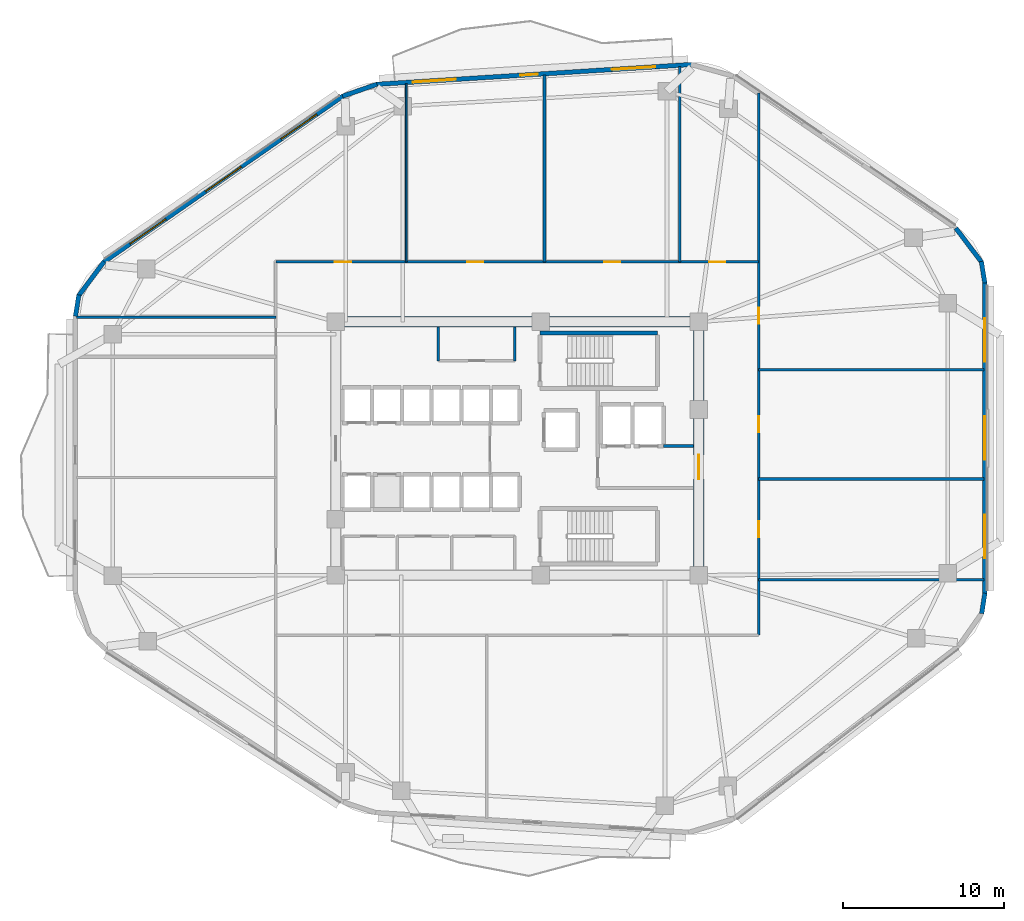
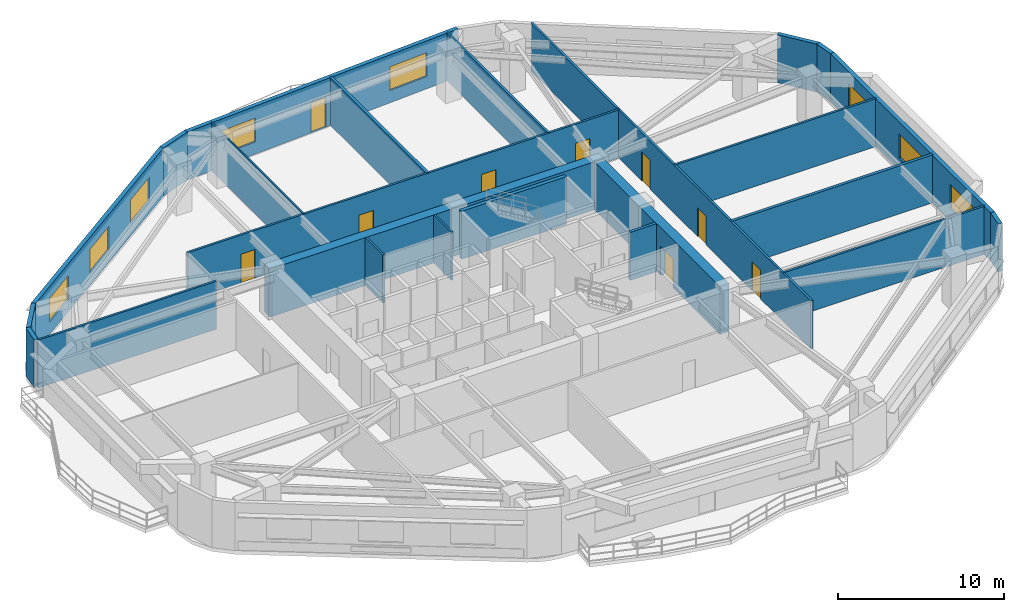
# One storey, part 5 of 10: 24 walls, 9 doors, 8 windows, 17 openings.
"""IFC4 building model written with IfcOpenShell, lengths in metres."""

from ifc_helpers import new_model, si_unit, direction, frame, frame_2d, origin, place, context, subcontext, project, spatial, rectangle, extrude, material, layer, layer_set, type_object, element, fill, save


model = new_model("IFC4")

# Units and contexts
model_context = context("Model", 3, precision=1e-05, world=origin(), true_north=direction((0.0, 1.0)))
body_context = subcontext(model_context, "Body", "Model", "MODEL_VIEW")
ifc_project = project(units=[si_unit("LENGTHUNIT", "METRE"), si_unit("AREAUNIT", "SQUARE_METRE"), si_unit("VOLUMEUNIT", "CUBIC_METRE"), si_unit("PLANEANGLEUNIT", "RADIAN"), si_unit("MASSUNIT", "GRAM", prefix="KILO")], contexts=[model_context])

# Site, building, storey
site_placement = place(None, origin())
site = spatial("IfcSite", under=ifc_project, at=site_placement, CompositionType="ELEMENT")
building_placement = place(site_placement, origin())
building = spatial("IfcBuilding", under=site, at=building_placement, Name="Zulverin Broadcast Headquarters", CompositionType="ELEMENT")
storey_placement = place(building_placement, frame((0.0, 0.0, 97.199951171875)))
storey = spatial("IfcBuildingStorey", under=building, at=storey_placement, Name="L24", CompositionType="ELEMENT", Elevation=97.199951171875)

# Walls
ifc_material_1 = material(Name="Acoustic drywall steel stud", Category="steel")
ifc_layer_1 = layer(ifc_material_1, 0.199951171875, Name="Acoustic drywall steel stud", Category="steel")
ifc_layer_set_1 = layer_set([ifc_layer_1], Name="Acoustic drywall steel stud")
wall_type_1 = type_object("IfcWallType", Name="WL-ACOU-200", PredefinedType="PARTITIONING", material=ifc_layer_set_1)
wall_1_placement = place(storey_placement, frame((38.699951171875, 36.800048828125, 0.0), z_axis=(0.0, 0.0, 1.0), x_axis=(0.0, 1.0, 0.0)))
element("IfcWall", 1, at=wall_1_placement, inside=storey, type_object=wall_type_1, Name="L24 Room Partition Wall RP-03", PredefinedType="PARTITIONING", context=body_context, shape_type="SweptSolid", body=[
    extrude(rectangle(XDim=11.628662109375, YDim=0.199951171875, at=frame_2d((5.814453125, 0.0))), origin(), (0.0, 0.0, 1.0), 3.525146484375),
])
wall_2_placement = place(storey_placement, frame((52.0, 23.300048828125, 0.0), z_axis=(0.0, 0.0, 1.0), x_axis=(1.0, 0.0, 0.0)))
element("IfcWall", 2, at=wall_2_placement, inside=storey, type_object=wall_type_1, Name="L24 Room Partition Wall RP-09", PredefinedType="PARTITIONING", context=body_context, shape_type="SweptSolid", body=[
    extrude(rectangle(XDim=13.9951171875, YDim=0.199951171875, at=frame_2d((6.99755859375, 0.0))), origin(), (0.0, 0.0, 1.0), 3.525146484375),
])
ifc_material_2 = material(Name="Concrete C60/75", Category="concrete")
ifc_layer_2 = layer(ifc_material_2, 0.64990234375, Name="Concrete C60/75", Category="concrete")
ifc_layer_set_2 = layer_set([ifc_layer_2], Name="Concrete C60/75")
wall_type_2 = type_object("IfcWallType", Name="WL-CORE-650", PredefinedType="SHEAR", material=ifc_layer_set_2)
wall_3_placement = place(storey_placement, frame((25.39990234375, 33.074951171875, 0.0), z_axis=(0.0, 0.0, 1.0), x_axis=(1.0, 0.0, 0.0)))
element("IfcWall", 3, at=wall_3_placement, inside=storey, type_object=wall_type_2, Name="L24 Core North Shear Wall", PredefinedType="SHEAR", context=body_context, shape_type="SweptSolid", body=[
    extrude(rectangle(XDim=23.2001953125, YDim=0.64990234375, at=frame_2d((11.60009765625, 0.0))), origin(), (0.0, 0.0, 1.0), 3.525146484375),
])

# Wall, opening, door
wall_4_placement = place(storey_placement, frame((48.27490234375, 17.64990234375, 0.0), z_axis=(0.0, 0.0, 1.0), x_axis=(0.0, 1.0, 0.0)))
wall_4 = element("IfcWall", 4, at=wall_4_placement, inside=storey, type_object=wall_type_2, Name="L24 Core East Shear Wall", PredefinedType="SHEAR", context=body_context, shape_type="SweptSolid", body=[
    extrude(rectangle(XDim=15.10009765625, YDim=0.64990234375, at=frame_2d((7.550048828125, 0.0))), origin(), (0.0, 0.0, 1.0), 3.525146484375),
])
opening_1_placement = place(wall_4_placement, frame((5.64990234375, 0.0, 0.0)))
opening_1 = element("IfcOpeningElement", 5, at=opening_1_placement, cuts=wall_4, Name="Opening D-L24-CE1", PredefinedType="OPENING", context=body_context, shape_type="SweptSolid", body=[
    extrude(rectangle(XDim=1.5, YDim=2.14990234375, at=frame_2d((0.75, 1.074951171875))), frame((0.0, 0.3349609375, 0.0), z_axis=(0.0, -1.0, 0.0), x_axis=(1.0, 0.0, 0.0)), (0.0, 0.0, 1.0), 0.669921875),
])
ifc_material_3 = material(Name="Fire-rated glazed steel frame", Category="steel")
door_type_1 = type_object("IfcDoorType", Name="DR-COR-1500", OperationType="DOUBLE_DOOR_SINGLE_SWING", PredefinedType="DOOR", material=ifc_material_3)
door_1_placement = place(opening_1_placement, origin())
door_1 = element("IfcDoor", 6, at=door_1_placement, inside=storey, type_object=door_type_1, Name="L24 Firefighting Lobby East Corridor Door", OperationType="DOUBLE_DOOR_SINGLE_SWING", OverallHeight=2.14990234375, OverallWidth=1.5, PredefinedType="DOOR", context=body_context, shape_type="SweptSolid", body=[
    extrude(rectangle(XDim=1.5, YDim=2.14990234375, at=frame_2d((0.75, 1.074951171875))), frame((0.0, 0.02490234375, 0.0), z_axis=(0.0, -1.0, 0.0), x_axis=(1.0, 0.0, 0.0)), (0.0, 0.0, 1.0), 0.050048828125),
])
fill(opening_1, door_1)

# Wall, openings, windows
ifc_material_4 = material(Name="Insulated pale-metal clad concrete spandrel C40/50", Category="concrete")
ifc_layer_3 = layer(ifc_material_4, 0.280029296875, Name="Insulated pale-metal clad concrete spandrel C40/50", Category="concrete")
ifc_layer_set_3 = layer_set([ifc_layer_3], Name="Insulated pale-metal clad concrete spandrel C40/50")
wall_type_3 = type_object("IfcWallType", Name="WL-EXT-280", PredefinedType="STANDARD", material=ifc_layer_set_3)
wall_5_placement = place(storey_placement, frame((66.06005859375, 16.183349609375, 0.0), z_axis=(0.0, 0.0, 1.0), x_axis=(0.0, 1.0, 0.0)))
wall_5 = element("IfcWall", 7, at=wall_5_placement, inside=storey, type_object=wall_type_3, Name="L24 Pale-Metal Clad Spandrel Wall 3", PredefinedType="STANDARD", context=body_context, shape_type="SweptSolid", body=[
    extrude(rectangle(XDim=19.3310546875, YDim=0.280029296875, at=frame_2d((9.66552734375, 0.0))), origin(), (0.0, 0.0, 1.0), 3.525146484375),
])
opening_2_placement = place(wall_5_placement, frame((2.205078125, 0.0, 0.89990234375)))
opening_2 = element("IfcOpeningElement", 8, at=opening_2_placement, cuts=wall_5, Name="Opening W-L24-E31", PredefinedType="OPENING", context=body_context, shape_type="SweptSolid", body=[
    extrude(rectangle(XDim=2.699951171875, YDim=1.75, at=frame_2d((1.35009765625, 0.875))), frame((0.0, 0.14990234375, 0.0), z_axis=(0.0, -1.0, 0.0), x_axis=(1.0, 0.0, 0.0)), (0.0, 0.0, 1.0), 0.300048828125),
])
opening_3_placement = place(wall_5_placement, frame((8.3154296875, 0.0, 0.89990234375)))
opening_3 = element("IfcOpeningElement", 9, at=opening_3_placement, cuts=wall_5, Name="Opening W-L24-E32", PredefinedType="OPENING", context=body_context, shape_type="SweptSolid", body=[
    extrude(rectangle(XDim=2.699951171875, YDim=1.75, at=frame_2d((1.35009765625, 0.875))), frame((0.0, 0.14990234375, 0.0), z_axis=(0.0, -1.0, 0.0), x_axis=(1.0, 0.0, 0.0)), (0.0, 0.0, 1.0), 0.300048828125),
])
opening_4_placement = place(wall_5_placement, frame((14.42578125, 0.0, 0.89990234375)))
opening_4 = element("IfcOpeningElement", 10, at=opening_4_placement, cuts=wall_5, Name="Opening W-L24-E33", PredefinedType="OPENING", context=body_context, shape_type="SweptSolid", body=[
    extrude(rectangle(XDim=2.699951171875, YDim=1.75, at=frame_2d((1.35009765625, 0.875))), frame((0.0, 0.14990234375, 0.0), z_axis=(0.0, -1.0, 0.0), x_axis=(1.0, 0.0, 0.0)), (0.0, 0.0, 1.0), 0.300048828125),
])
ifc_material_5 = material(Name="Pale anodized aluminium frame with solar-control low-E double glazing", Category="aluminium")
window_type = type_object("IfcWindowType", Name="WIN-TWR-2700", PartitioningType="SINGLE_PANEL", PredefinedType="WINDOW", material=ifc_material_5)
window_1_placement = place(opening_2_placement, origin())
window_1 = element("IfcWindow", 11, at=window_1_placement, inside=storey, type_object=window_type, Name="L24 Ribbon Glazing Window 3 1", OverallHeight=1.75, OverallWidth=2.699951171875, PartitioningType="SINGLE_PANEL", PredefinedType="WINDOW", context=body_context, shape_type="SweptSolid", body=[
    extrude(rectangle(XDim=2.699951171875, YDim=1.75, at=frame_2d((1.35009765625, 0.875))), frame((0.0, 0.030029296875, 0.0), z_axis=(0.0, -1.0, 0.0), x_axis=(1.0, 0.0, 0.0)), (0.0, 0.0, 1.0), 0.06005859375),
])
fill(opening_2, window_1)
window_2_placement = place(opening_3_placement, origin())
window_2 = element("IfcWindow", 12, at=window_2_placement, inside=storey, type_object=window_type, Name="L24 Ribbon Glazing Window 3 2", OverallHeight=1.75, OverallWidth=2.699951171875, PartitioningType="SINGLE_PANEL", PredefinedType="WINDOW", context=body_context, shape_type="SweptSolid", body=[
    extrude(rectangle(XDim=2.699951171875, YDim=1.75, at=frame_2d((1.35009765625, 0.875))), frame((0.0, 0.030029296875, 0.0), z_axis=(0.0, -1.0, 0.0), x_axis=(1.0, 0.0, 0.0)), (0.0, 0.0, 1.0), 0.06005859375),
])
fill(opening_3, window_2)
window_3_placement = place(opening_4_placement, origin())
window_3 = element("IfcWindow", 13, at=window_3_placement, inside=storey, type_object=window_type, Name="L24 Ribbon Glazing Window 3 3", OverallHeight=1.75, OverallWidth=2.699951171875, PartitioningType="SINGLE_PANEL", PredefinedType="WINDOW", context=body_context, shape_type="SweptSolid", body=[
    extrude(rectangle(XDim=2.699951171875, YDim=1.75, at=frame_2d((1.35009765625, 0.875))), frame((0.0, 0.030029296875, 0.0), z_axis=(0.0, -1.0, 0.0), x_axis=(1.0, 0.0, 0.0)), (0.0, 0.0, 1.0), 0.06005859375),
])
fill(opening_4, window_3)

# Wall, openings, door, windows
wall_6_placement = place(storey_placement, frame((47.831787109375, 49.0693359375, 0.0), z_axis=(0.0, 0.0, 1.0), x_axis=(-0.998017725054, -0.062933460723, 0.0)))
wall_6 = element("IfcWall", 14, at=wall_6_placement, inside=storey, type_object=wall_type_3, Name="L24 Pale-Metal Clad Spandrel Wall 5", PredefinedType="STANDARD", context=body_context, shape_type="SweptSolid", body=[
    extrude(rectangle(XDim=19.62939453125, YDim=0.280029296875, at=frame_2d((9.814697265625, 0.0))), origin(), (0.0, 0.0, 1.0), 3.525146484375),
])
opening_5_placement = place(wall_6_placement, frame((9.564697265625, 0.0, 0.0)))
opening_5 = element("IfcOpeningElement", 15, at=opening_5_placement, cuts=wall_6, Name="Opening D-L24-TR5", PredefinedType="OPENING", context=body_context, shape_type="SweptSolid", body=[
    extrude(rectangle(XDim=1.10009765625, YDim=2.199951171875, at=frame_2d((0.550048828125, 1.10009765625))), frame((0.0, 0.14990234375, 0.0), z_axis=(0.0, -1.0, 0.0), x_axis=(1.0, 0.0, 0.0)), (0.0, 0.0, 1.0), 0.300048828125),
])
opening_6_placement = place(wall_6_placement, frame((2.2548828125, 0.0, 0.89990234375)))
opening_6 = element("IfcOpeningElement", 16, at=opening_6_placement, cuts=wall_6, Name="Opening W-L24-E51", PredefinedType="OPENING", context=body_context, shape_type="SweptSolid", body=[
    extrude(rectangle(XDim=2.699951171875, YDim=1.75, at=frame_2d((1.35009765625, 0.875))), frame((0.0, 0.14990234375, 0.0), z_axis=(0.0, -1.0, 0.0), x_axis=(1.0, 0.0, 0.0)), (0.0, 0.0, 1.0), 0.300048828125),
])
opening_7_placement = place(wall_6_placement, frame((14.674560546875, 0.0, 0.89990234375)))
opening_7 = element("IfcOpeningElement", 17, at=opening_7_placement, cuts=wall_6, Name="Opening W-L24-E52", PredefinedType="OPENING", context=body_context, shape_type="SweptSolid", body=[
    extrude(rectangle(XDim=2.699951171875, YDim=1.75, at=frame_2d((1.35009765625, 0.875))), frame((0.0, 0.14990234375, 0.0), z_axis=(0.0, -1.0, 0.0), x_axis=(1.0, 0.0, 0.0)), (0.0, 0.0, 1.0), 0.300048828125),
])
ifc_material_6 = material(Name="Thermally broken aluminium glazed", Category="aluminium")
door_type_2 = type_object("IfcDoorType", Name="DR-TERR-1100", OperationType="SINGLE_SWING_RIGHT", PredefinedType="DOOR", material=ifc_material_6)
door_2_placement = place(opening_5_placement, origin())
door_2 = element("IfcDoor", 18, at=door_2_placement, inside=storey, type_object=door_type_2, Name="L24 Planted Terrace Glazed Access Door 5", OperationType="SINGLE_SWING_RIGHT", OverallHeight=2.199951171875, OverallWidth=1.10009765625, PredefinedType="DOOR", context=body_context, shape_type="SweptSolid", body=[
    extrude(rectangle(XDim=1.10009765625, YDim=2.199951171875, at=frame_2d((0.550048828125, 1.10009765625))), frame((0.0, 0.02490234375, 0.0), z_axis=(0.0, -1.0, 0.0), x_axis=(1.0, 0.0, 0.0)), (0.0, 0.0, 1.0), 0.050048828125),
])
fill(opening_5, door_2)
window_4_placement = place(opening_6_placement, origin())
window_4 = element("IfcWindow", 19, at=window_4_placement, inside=storey, type_object=window_type, Name="L24 Ribbon Glazing Window 5 1", OverallHeight=1.75, OverallWidth=2.699951171875, PartitioningType="SINGLE_PANEL", PredefinedType="WINDOW", context=body_context, shape_type="SweptSolid", body=[
    extrude(rectangle(XDim=2.699951171875, YDim=1.75, at=frame_2d((1.35009765625, 0.875))), frame((0.0, 0.030029296875, 0.0), z_axis=(0.0, -1.0, 0.0), x_axis=(1.0, 0.0, 0.0)), (0.0, 0.0, 1.0), 0.06005859375),
])
fill(opening_6, window_4)
window_5_placement = place(opening_7_placement, origin())
window_5 = element("IfcWindow", 20, at=window_5_placement, inside=storey, type_object=window_type, Name="L24 Ribbon Glazing Window 5 2", OverallHeight=1.75, OverallWidth=2.699951171875, PartitioningType="SINGLE_PANEL", PredefinedType="WINDOW", context=body_context, shape_type="SweptSolid", body=[
    extrude(rectangle(XDim=2.699951171875, YDim=1.75, at=frame_2d((1.35009765625, 0.875))), frame((0.0, 0.030029296875, 0.0), z_axis=(0.0, -1.0, 0.0), x_axis=(1.0, 0.0, 0.0)), (0.0, 0.0, 1.0), 0.06005859375),
])
fill(opening_7, window_5)

# Wall, openings, windows
wall_7_placement = place(storey_placement, frame((26.181884765625, 47.11767578125, 0.0), z_axis=(0.0, 0.0, 1.0), x_axis=(-0.821547956627, -0.570139417127, 0.0)))
wall_7 = element("IfcWall", 21, at=wall_7_placement, inside=storey, type_object=wall_type_3, Name="L24 Pale-Metal Clad Spandrel Wall 6", PredefinedType="STANDARD", context=body_context, shape_type="SweptSolid", body=[
    extrude(rectangle(XDim=18.13232421875, YDim=0.280029296875, at=frame_2d((9.066162109375, 0.0))), origin(), (0.0, 0.0, 1.0), 3.525146484375),
])
opening_8_placement = place(wall_7_placement, frame((2.00537109375, 0.0, 0.89990234375)))
opening_8 = element("IfcOpeningElement", 22, at=opening_8_placement, cuts=wall_7, Name="Opening W-L24-E61", PredefinedType="OPENING", context=body_context, shape_type="SweptSolid", body=[
    extrude(rectangle(XDim=2.699951171875, YDim=1.75, at=frame_2d((1.35009765625, 0.875))), frame((0.0, 0.14990234375, 0.0), z_axis=(0.0, -1.0, 0.0), x_axis=(1.0, 0.0, 0.0)), (0.0, 0.0, 1.0), 0.300048828125),
])
opening_9_placement = place(wall_7_placement, frame((7.716064453125, 0.0, 0.89990234375)))
opening_9 = element("IfcOpeningElement", 23, at=opening_9_placement, cuts=wall_7, Name="Opening W-L24-E62", PredefinedType="OPENING", context=body_context, shape_type="SweptSolid", body=[
    extrude(rectangle(XDim=2.699951171875, YDim=1.75, at=frame_2d((1.35009765625, 0.875))), frame((0.0, 0.14990234375, 0.0), z_axis=(0.0, -1.0, 0.0), x_axis=(1.0, 0.0, 0.0)), (0.0, 0.0, 1.0), 0.300048828125),
])
opening_10_placement = place(wall_7_placement, frame((13.427001953125, 0.0, 0.89990234375)))
opening_10 = element("IfcOpeningElement", 24, at=opening_10_placement, cuts=wall_7, Name="Opening W-L24-E63", PredefinedType="OPENING", context=body_context, shape_type="SweptSolid", body=[
    extrude(rectangle(XDim=2.699951171875, YDim=1.75, at=frame_2d((1.35009765625, 0.875))), frame((0.0, 0.14990234375, 0.0), z_axis=(0.0, -1.0, 0.0), x_axis=(1.0, 0.0, 0.0)), (0.0, 0.0, 1.0), 0.300048828125),
])
window_6_placement = place(opening_8_placement, origin())
window_6 = element("IfcWindow", 25, at=window_6_placement, inside=storey, type_object=window_type, Name="L24 Ribbon Glazing Window 6 1", OverallHeight=1.75, OverallWidth=2.699951171875, PartitioningType="SINGLE_PANEL", PredefinedType="WINDOW", context=body_context, shape_type="SweptSolid", body=[
    extrude(rectangle(XDim=2.699951171875, YDim=1.75, at=frame_2d((1.35009765625, 0.875))), frame((0.0, 0.030029296875, 0.0), z_axis=(0.0, -1.0, 0.0), x_axis=(1.0, 0.0, 0.0)), (0.0, 0.0, 1.0), 0.06005859375),
])
fill(opening_8, window_6)
window_7_placement = place(opening_9_placement, origin())
window_7 = element("IfcWindow", 26, at=window_7_placement, inside=storey, type_object=window_type, Name="L24 Ribbon Glazing Window 6 2", OverallHeight=1.75, OverallWidth=2.699951171875, PartitioningType="SINGLE_PANEL", PredefinedType="WINDOW", context=body_context, shape_type="SweptSolid", body=[
    extrude(rectangle(XDim=2.699951171875, YDim=1.75, at=frame_2d((1.35009765625, 0.875))), frame((0.0, 0.030029296875, 0.0), z_axis=(0.0, -1.0, 0.0), x_axis=(1.0, 0.0, 0.0)), (0.0, 0.0, 1.0), 0.06005859375),
])
fill(opening_9, window_7)
window_8_placement = place(opening_10_placement, origin())
window_8 = element("IfcWindow", 27, at=window_8_placement, inside=storey, type_object=window_type, Name="L24 Ribbon Glazing Window 6 3", OverallHeight=1.75, OverallWidth=2.699951171875, PartitioningType="SINGLE_PANEL", PredefinedType="WINDOW", context=body_context, shape_type="SweptSolid", body=[
    extrude(rectangle(XDim=2.699951171875, YDim=1.75, at=frame_2d((1.35009765625, 0.875))), frame((0.0, 0.030029296875, 0.0), z_axis=(0.0, -1.0, 0.0), x_axis=(1.0, 0.0, 0.0)), (0.0, 0.0, 1.0), 0.06005859375),
])
fill(opening_10, window_8)

# Walls
wall_8_placement = place(storey_placement, frame((65.867431640625, 14.942626953125, 0.0), z_axis=(0.0, 0.0, 1.0), x_axis=(0.152014078361, 0.988378328364, 0.0)))
element("IfcWall", 28, at=wall_8_placement, inside=storey, type_object=wall_type_3, Name="L24 Wind-Shaped Corner Spandrel Wall 2-2", PredefinedType="STANDARD", context=body_context, shape_type="SweptSolid", body=[
    extrude(rectangle(XDim=1.27685546875, YDim=0.280029296875, at=frame_2d((0.638427734375, 0.0))), origin(), (0.0, 0.0, 1.0), 3.525146484375),
])
wall_9_placement = place(storey_placement, frame((66.061767578125, 35.491943359375, 0.0), z_axis=(0.0, 0.0, 1.0), x_axis=(-0.161182073582, 0.986924687682, 0.0)))
element("IfcWall", 29, at=wall_9_placement, inside=storey, type_object=wall_type_3, Name="L24 Wind-Shaped Corner Spandrel Wall 3-1", PredefinedType="STANDARD", context=body_context, shape_type="SweptSolid", body=[
    extrude(rectangle(XDim=1.354248046875, YDim=0.280029296875, at=frame_2d((0.67724609375, 0.0))), origin(), (0.0, 0.0, 1.0), 3.525146484375),
])
wall_10_placement = place(storey_placement, frame((65.8701171875, 36.7666015625, 0.0), z_axis=(0.0, 0.0, 1.0), x_axis=(-0.603370463754, 0.797461023166, 0.0)))
element("IfcWall", 30, at=wall_10_placement, inside=storey, type_object=wall_type_3, Name="L24 Wind-Shaped Corner Spandrel Wall 3-2", PredefinedType="STANDARD", context=body_context, shape_type="SweptSolid", body=[
    extrude(rectangle(XDim=2.6728515625, YDim=0.280029296875, at=frame_2d((1.33642578125, 0.0))), origin(), (0.0, 0.0, 1.0), 3.525146484375),
])
wall_11_placement = place(storey_placement, frame((28.2783203125, 47.841552734375, 0.0), z_axis=(0.0, 0.0, 1.0), x_axis=(-0.9444559001, -0.328638179106, 0.0)))
element("IfcWall", 31, at=wall_11_placement, inside=storey, type_object=wall_type_3, Name="L24 Wind-Shaped Corner Spandrel Wall 5-1", PredefinedType="STANDARD", context=body_context, shape_type="SweptSolid", body=[
    extrude(rectangle(XDim=2.25537109375, YDim=0.280029296875, at=frame_2d((1.127685546875, 0.0))), origin(), (0.0, 0.0, 1.0), 3.525146484375),
])
wall_12_placement = place(storey_placement, frame((11.317626953125, 36.81103515625, 0.0), z_axis=(0.0, 0.0, 1.0), x_axis=(-0.599455152629, -0.800408345775, 0.0)))
element("IfcWall", 32, at=wall_12_placement, inside=storey, type_object=wall_type_3, Name="L24 Wind-Shaped Corner Spandrel Wall 6-1", PredefinedType="STANDARD", context=body_context, shape_type="SweptSolid", body=[
    extrude(rectangle(XDim=2.6533203125, YDim=0.280029296875, at=frame_2d((1.32666015625, 0.0))), origin(), (0.0, 0.0, 1.0), 3.525146484375),
])
wall_13_placement = place(storey_placement, frame((9.753173828125, 34.748779296875, 0.0), z_axis=(0.0, 0.0, 1.0), x_axis=(-0.160037671962, -0.987110907423, 0.0)))
element("IfcWall", 33, at=wall_13_placement, inside=storey, type_object=wall_type_3, Name="L24 Wind-Shaped Corner Spandrel Wall 6-2", PredefinedType="STANDARD", context=body_context, shape_type="SweptSolid", body=[
    extrude(rectangle(XDim=1.343994140625, YDim=0.280029296875, at=frame_2d((0.671875, 0.0))), origin(), (0.0, 0.0, 1.0), 3.525146484375),
])
ifc_material_7 = material(Name="Concrete C40/50", Category="concrete")
ifc_layer_4 = layer(ifc_material_7, 0.199951171875, Name="Concrete C40/50", Category="concrete")
ifc_layer_set_4 = layer_set([ifc_layer_4], Name="Concrete C40/50")
wall_type_4 = type_object("IfcWallType", Name="WL-FFL-200", PredefinedType="SOLIDWALL", material=ifc_layer_set_4)
wall_14_placement = place(storey_placement, frame((46.10009765625, 25.35009765625, 0.0), z_axis=(0.0, 0.0, 1.0), x_axis=(1.0, 0.0, 0.0)))
element("IfcWall", 34, at=wall_14_placement, inside=storey, type_object=wall_type_4, Name="L24 Firefighting Lift Lobby North Wall", PredefinedType="SOLIDWALL", context=body_context, shape_type="SweptSolid", body=[
    extrude(rectangle(XDim=1.849853515625, YDim=0.199951171875, at=frame_2d((0.9248046875, 0.0))), origin(), (0.0, 0.0, 1.0), 3.525146484375),
])
ifc_material_8 = material(Name="Fire-rated acoustic laminated glass screen", Category="glass")
ifc_layer_5 = layer(ifc_material_8, 0.10009765625, Name="Fire-rated acoustic laminated glass screen", Category="glass")
ifc_layer_set_5 = layer_set([ifc_layer_5], Name="Fire-rated acoustic laminated glass screen")
wall_type_5 = type_object("IfcWallType", Name="WL-GLAZ-100", PredefinedType="PARTITIONING", material=ifc_layer_set_5)
wall_15_placement = place(storey_placement, frame((30.10009765625, 36.800048828125, 0.0), z_axis=(0.0, 0.0, 1.0), x_axis=(0.0, 1.0, 0.0)))
element("IfcWall", 35, at=wall_15_placement, inside=storey, type_object=wall_type_5, Name="L24 Room Partition Wall RP-05", PredefinedType="PARTITIONING", context=body_context, shape_type="SweptSolid", body=[
    extrude(rectangle(XDim=11.08642578125, YDim=0.10009765625, at=frame_2d((5.543212890625, 0.0))), origin(), (0.0, 0.0, 1.0), 3.525146484375),
])
ifc_material_9 = material(Name="Fire-rated gypsum stud partition", Category="gypsum")
ifc_layer_6 = layer(ifc_material_9, 0.14990234375, Name="Fire-rated gypsum stud partition", Category="gypsum")
ifc_layer_set_6 = layer_set([ifc_layer_6], Name="Fire-rated gypsum stud partition")
wall_type_6 = type_object("IfcWallType", Name="WL-PART-150", PredefinedType="PARTITIONING", material=ifc_layer_set_6)
for number, where, z_axis, x_axis, name in (
    (36, (32.10009765625, 30.64990234375, 0.0), (0.0, 0.0, 1.0), (0.0, 1.0, 0.0), "L24 Core Accessible WC & Electrical Riser West Wall"),
    (37, (36.85009765625, 30.64990234375, 0.0), (0.0, 0.0, 1.0), (0.0, 1.0, 0.0), "L24 Core Accessible WC & Electrical Riser East Wall"),
):
    element("IfcWall", number, at=place(storey_placement, frame(where, z_axis=z_axis, x_axis=x_axis)), inside=storey, type_object=wall_type_6, Name=name, PredefinedType="PARTITIONING", context=body_context, shape_type="SweptSolid", body=[
        extrude(rectangle(XDim=2.10009765625, YDim=0.14990234375, at=frame_2d((1.050048828125, 0.0))), origin(), (0.0, 0.0, 1.0), 3.525146484375),
    ])

# Wall, openings, doors
wall_16_placement = place(storey_placement, frame((52.0, 13.60009765625, 0.0), z_axis=(0.0, 0.0, 1.0), x_axis=(0.0, 1.0, 0.0)))
wall_16 = element("IfcWall", 38, at=wall_16_placement, inside=storey, type_object=wall_type_6, Name="L24 Gallery Partition Wall CG-01", PredefinedType="PARTITIONING", context=body_context, shape_type="SweptSolid", body=[
    extrude(rectangle(XDim=33.691162109375, YDim=0.14990234375, at=frame_2d((16.845703125, 0.0))), origin(), (0.0, 0.0, 1.0), 3.525146484375),
])
opening_11_placement = place(wall_16_placement, frame((6.074951171875, 0.0, 0.0)))
opening_11 = element("IfcOpeningElement", 39, at=opening_11_placement, cuts=wall_16, Name="Opening D-L24-10", PredefinedType="OPENING", context=body_context, shape_type="SweptSolid", body=[
    extrude(rectangle(XDim=1.0, YDim=2.1201171875, at=frame_2d((0.5, 1.06005859375))), frame((0.0, 0.0849609375, 0.0), z_axis=(0.0, -1.0, 0.0), x_axis=(1.0, 0.0, 0.0)), (0.0, 0.0, 1.0), 0.169921875),
])
opening_12_placement = place(wall_16_placement, frame((12.60009765625, 0.0, 0.0)))
opening_12 = element("IfcOpeningElement", 40, at=opening_12_placement, cuts=wall_16, Name="Opening D-L24-11", PredefinedType="OPENING", context=body_context, shape_type="SweptSolid", body=[
    extrude(rectangle(XDim=1.0, YDim=2.1201171875, at=frame_2d((0.5, 1.06005859375))), frame((0.0, 0.0849609375, 0.0), z_axis=(0.0, -1.0, 0.0), x_axis=(1.0, 0.0, 0.0)), (0.0, 0.0, 1.0), 0.169921875),
])
opening_13_placement = place(wall_16_placement, frame((19.35009765625, 0.0, 0.0)))
opening_13 = element("IfcOpeningElement", 41, at=opening_13_placement, cuts=wall_16, Name="Opening D-L24-12", PredefinedType="OPENING", context=body_context, shape_type="SweptSolid", body=[
    extrude(rectangle(XDim=1.0, YDim=2.1201171875, at=frame_2d((0.5, 1.06005859375))), frame((0.0, 0.0849609375, 0.0), z_axis=(0.0, -1.0, 0.0), x_axis=(1.0, 0.0, 0.0)), (0.0, 0.0, 1.0), 0.169921875),
])
ifc_material_10 = material(Name="Hardwood veneer acoustic leaf", Category="wood")
door_type_3 = type_object("IfcDoorType", Name="DR-OFF-1000", OperationType="SINGLE_SWING_LEFT", PredefinedType="DOOR", material=ifc_material_10)
door_3_placement = place(opening_11_placement, origin())
door_3 = element("IfcDoor", 42, at=door_3_placement, inside=storey, type_object=door_type_3, Name="L24 Spectrum Licensing Office Door", OperationType="SINGLE_SWING_LEFT", OverallHeight=2.1201171875, OverallWidth=1.0, PredefinedType="DOOR", context=body_context, shape_type="SweptSolid", body=[
    extrude(rectangle(XDim=1.0, YDim=2.1201171875, at=frame_2d((0.5, 1.06005859375))), frame((0.0, 0.02490234375, 0.0), z_axis=(0.0, -1.0, 0.0), x_axis=(1.0, 0.0, 0.0)), (0.0, 0.0, 1.0), 0.050048828125),
])
fill(opening_11, door_3)
door_4_placement = place(opening_12_placement, origin())
door_4 = element("IfcDoor", 43, at=door_4_placement, inside=storey, type_object=door_type_3, Name="L24 Broadcast Standards Office Door", OperationType="SINGLE_SWING_RIGHT", OverallHeight=2.1201171875, OverallWidth=1.0, PredefinedType="DOOR", context=body_context, shape_type="SweptSolid", body=[
    extrude(rectangle(XDim=1.0, YDim=2.1201171875, at=frame_2d((0.5, 1.06005859375))), frame((0.0, 0.02490234375, 0.0), z_axis=(0.0, -1.0, 0.0), x_axis=(1.0, 0.0, 0.0)), (0.0, 0.0, 1.0), 0.050048828125),
])
fill(opening_12, door_4)
door_5_placement = place(opening_13_placement, origin())
door_5 = element("IfcDoor", 44, at=door_5_placement, inside=storey, type_object=door_type_3, Name="L24 Transmission Engineering Office Door", OperationType="SINGLE_SWING_LEFT", OverallHeight=2.1201171875, OverallWidth=1.0, PredefinedType="DOOR", context=body_context, shape_type="SweptSolid", body=[
    extrude(rectangle(XDim=1.0, YDim=2.1201171875, at=frame_2d((0.5, 1.06005859375))), frame((0.0, 0.02490234375, 0.0), z_axis=(0.0, -1.0, 0.0), x_axis=(1.0, 0.0, 0.0)), (0.0, 0.0, 1.0), 0.050048828125),
])
fill(opening_13, door_5)

# Walls
wall_17_placement = place(storey_placement, frame((47.10009765625, 36.800048828125, 0.0), z_axis=(0.0, 0.0, 1.0), x_axis=(0.0, 1.0, 0.0)))
element("IfcWall", 45, at=wall_17_placement, inside=storey, type_object=wall_type_6, Name="L24 Room Partition Wall RP-02", PredefinedType="PARTITIONING", context=body_context, shape_type="SweptSolid", body=[
    extrude(rectangle(XDim=12.158447265625, YDim=0.14990234375, at=frame_2d((6.0791015625, 0.0))), origin(), (0.0, 0.0, 1.0), 3.525146484375),
])
for number, where, z_axis, x_axis, name in (
    (46, (52.0, 17.050048828125, 0.0), (0.0, 0.0, 1.0), (1.0, 0.0, 0.0), "L24 Room Partition Wall RP-08"),
    (47, (52.0, 30.10009765625, 0.0), (0.0, 0.0, 1.0), (1.0, 0.0, 0.0), "L24 Room Partition Wall RP-11"),
):
    element("IfcWall", number, at=place(storey_placement, frame(where, z_axis=z_axis, x_axis=x_axis)), inside=storey, type_object=wall_type_6, Name=name, PredefinedType="PARTITIONING", context=body_context, shape_type="SweptSolid", body=[
        extrude(rectangle(XDim=13.9951171875, YDim=0.14990234375, at=frame_2d((6.99755859375, 0.0))), origin(), (0.0, 0.0, 1.0), 3.525146484375),
    ])
wall_18_placement = place(storey_placement, frame((9.60498046875, 33.35009765625, 0.0), z_axis=(0.0, 0.0, 1.0), x_axis=(1.0, 0.0, 0.0)))
element("IfcWall", 48, at=wall_18_placement, inside=storey, type_object=wall_type_6, Name="L24 Room Partition Wall RP-13", PredefinedType="PARTITIONING", context=body_context, shape_type="SweptSolid", body=[
    extrude(rectangle(XDim=12.39501953125, YDim=0.14990234375, at=frame_2d((6.197509765625, 0.0))), origin(), (0.0, 0.0, 1.0), 3.525146484375),
])

# Wall, openings, doors
wall_19_placement = place(storey_placement, frame((22.0, 36.800048828125, 0.0), z_axis=(0.0, 0.0, 1.0), x_axis=(1.0, 0.0, 0.0)))
wall_19 = element("IfcWall", 49, at=wall_19_placement, inside=storey, type_object=wall_type_6, Name="L24 Gallery Partition Wall CG-14", PredefinedType="PARTITIONING", context=body_context, shape_type="SweptSolid", body=[
    extrude(rectangle(XDim=30.0, YDim=0.14990234375, at=frame_2d((15.0, 0.0))), origin(), (0.0, 0.0, 1.0), 3.525146484375),
])
opening_14_placement = place(wall_19_placement, frame((3.669921875, 0.0, 0.0)))
opening_14 = element("IfcOpeningElement", 50, at=opening_14_placement, cuts=wall_19, Name="Opening D-L24-01", PredefinedType="OPENING", context=body_context, shape_type="SweptSolid", body=[
    extrude(rectangle(XDim=1.0, YDim=2.1201171875, at=frame_2d((0.5, 1.06005859375))), frame((0.0, 0.0849609375, 0.0), z_axis=(0.0, -1.0, 0.0), x_axis=(1.0, 0.0, 0.0)), (0.0, 0.0, 1.0), 0.169921875),
])
opening_15_placement = place(wall_19_placement, frame((11.89990234375, 0.0, 0.0)))
opening_15 = element("IfcOpeningElement", 51, at=opening_15_placement, cuts=wall_19, Name="Opening D-L24-02", PredefinedType="OPENING", context=body_context, shape_type="SweptSolid", body=[
    extrude(rectangle(XDim=1.0, YDim=2.1201171875, at=frame_2d((0.5, 1.06005859375))), frame((0.0, 0.0849609375, 0.0), z_axis=(0.0, -1.0, 0.0), x_axis=(1.0, 0.0, 0.0)), (0.0, 0.0, 1.0), 0.169921875),
])
opening_16_placement = place(wall_19_placement, frame((20.39990234375, 0.0, 0.0)))
opening_16 = element("IfcOpeningElement", 52, at=opening_16_placement, cuts=wall_19, Name="Opening D-L24-03", PredefinedType="OPENING", context=body_context, shape_type="SweptSolid", body=[
    extrude(rectangle(XDim=1.0, YDim=2.1201171875, at=frame_2d((0.5, 1.06005859375))), frame((0.0, 0.0849609375, 0.0), z_axis=(0.0, -1.0, 0.0), x_axis=(1.0, 0.0, 0.0)), (0.0, 0.0, 1.0), 0.169921875),
])
opening_17_placement = place(wall_19_placement, frame((26.929931640625, 0.0, 0.0)))
opening_17 = element("IfcOpeningElement", 53, at=opening_17_placement, cuts=wall_19, Name="Opening D-L24-04", PredefinedType="OPENING", context=body_context, shape_type="SweptSolid", body=[
    extrude(rectangle(XDim=1.0, YDim=2.1201171875, at=frame_2d((0.5, 1.06005859375))), frame((0.0, 0.0849609375, 0.0), z_axis=(0.0, -1.0, 0.0), x_axis=(1.0, 0.0, 0.0)), (0.0, 0.0, 1.0), 0.169921875),
])
door_6_placement = place(opening_14_placement, origin())
door_6 = element("IfcDoor", 54, at=door_6_placement, inside=storey, type_object=door_type_3, Name="L24 Satellite Downlink Office Door", OperationType="SINGLE_SWING_RIGHT", OverallHeight=2.1201171875, OverallWidth=1.0, PredefinedType="DOOR", context=body_context, shape_type="SweptSolid", body=[
    extrude(rectangle(XDim=1.0, YDim=2.1201171875, at=frame_2d((0.5, 1.06005859375))), frame((0.0, 0.02490234375, 0.0), z_axis=(0.0, -1.0, 0.0), x_axis=(1.0, 0.0, 0.0)), (0.0, 0.0, 1.0), 0.050048828125),
])
fill(opening_14, door_6)
door_7_placement = place(opening_15_placement, origin())
door_7 = element("IfcDoor", 55, at=door_7_placement, inside=storey, type_object=door_type_3, Name="L24 Spectrum Licensing Office Door", OperationType="SINGLE_SWING_LEFT", OverallHeight=2.1201171875, OverallWidth=1.0, PredefinedType="DOOR", context=body_context, shape_type="SweptSolid", body=[
    extrude(rectangle(XDim=1.0, YDim=2.1201171875, at=frame_2d((0.5, 1.06005859375))), frame((0.0, 0.02490234375, 0.0), z_axis=(0.0, -1.0, 0.0), x_axis=(1.0, 0.0, 0.0)), (0.0, 0.0, 1.0), 0.050048828125),
])
fill(opening_15, door_7)
door_8_placement = place(opening_16_placement, origin())
door_8 = element("IfcDoor", 56, at=door_8_placement, inside=storey, type_object=door_type_3, Name="L24 Broadcast Standards Office Door", OperationType="SINGLE_SWING_RIGHT", OverallHeight=2.1201171875, OverallWidth=1.0, PredefinedType="DOOR", context=body_context, shape_type="SweptSolid", body=[
    extrude(rectangle(XDim=1.0, YDim=2.1201171875, at=frame_2d((0.5, 1.06005859375))), frame((0.0, 0.02490234375, 0.0), z_axis=(0.0, -1.0, 0.0), x_axis=(1.0, 0.0, 0.0)), (0.0, 0.0, 1.0), 0.050048828125),
])
fill(opening_16, door_8)
door_9_placement = place(opening_17_placement, origin())
door_9 = element("IfcDoor", 57, at=door_9_placement, inside=storey, type_object=door_type_3, Name="L24 Transmission Engineering Office Door", OperationType="SINGLE_SWING_LEFT", OverallHeight=2.1201171875, OverallWidth=1.0, PredefinedType="DOOR", context=body_context, shape_type="SweptSolid", body=[
    extrude(rectangle(XDim=1.0, YDim=2.1201171875, at=frame_2d((0.5, 1.06005859375))), frame((0.0, 0.02490234375, 0.0), z_axis=(0.0, -1.0, 0.0), x_axis=(1.0, 0.0, 0.0)), (0.0, 0.0, 1.0), 0.050048828125),
])
fill(opening_17, door_9)

# Wall
ifc_material_11 = material(Name="Concrete C50/60", Category="concrete")
ifc_layer_7 = layer(ifc_material_11, 0.25, Name="Concrete C50/60", Category="concrete")
ifc_layer_set_7 = layer_set([ifc_layer_7], Name="Concrete C50/60")
wall_type_7 = type_object("IfcWallType", Name="WL-SHAFT-250", PredefinedType="SHEAR", material=ifc_layer_set_7)
wall_20_placement = place(storey_placement, frame((38.425048828125, 32.375, 0.0), z_axis=(0.0, 0.0, 1.0), x_axis=(1.0, 0.0, 0.0)))
element("IfcWall", 58, at=wall_20_placement, inside=storey, type_object=wall_type_7, Name="L24 ST-1 Enclosure Wall N", PredefinedType="SHEAR", context=body_context, shape_type="SweptSolid", body=[
    extrude(rectangle(XDim=7.300048828125, YDim=0.25, at=frame_2d((3.64990234375, 0.0))), origin(), (0.0, 0.0, 1.0), 3.525146484375),
])

save(model, "model.ifc")
